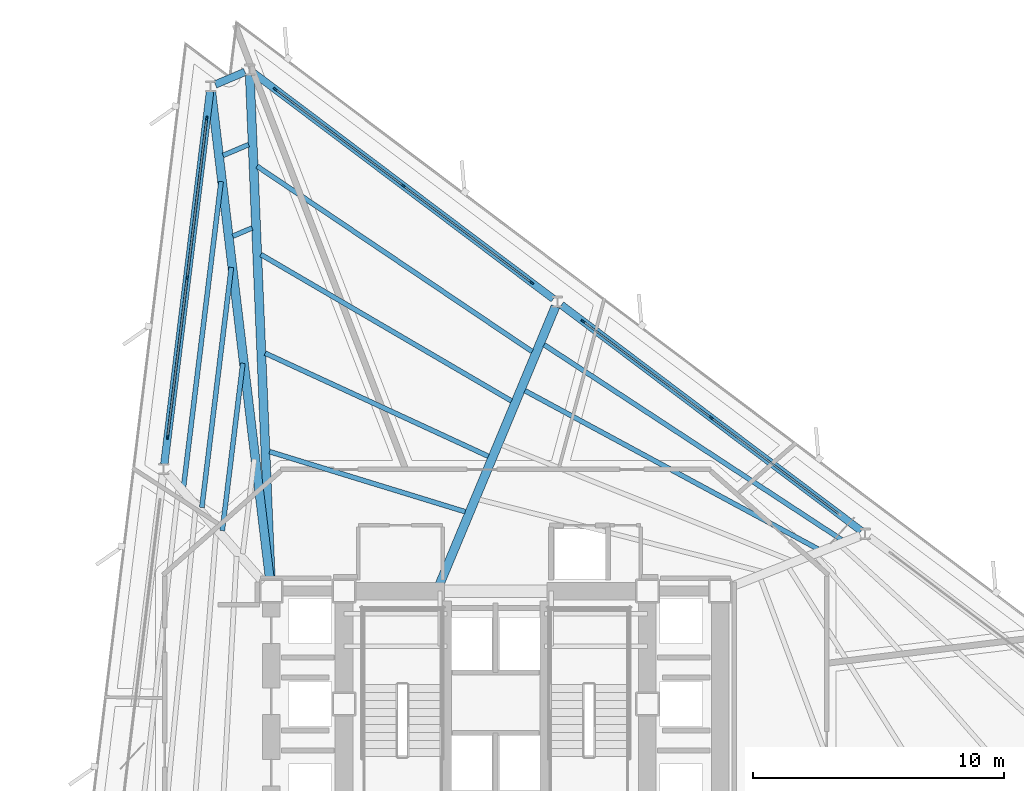
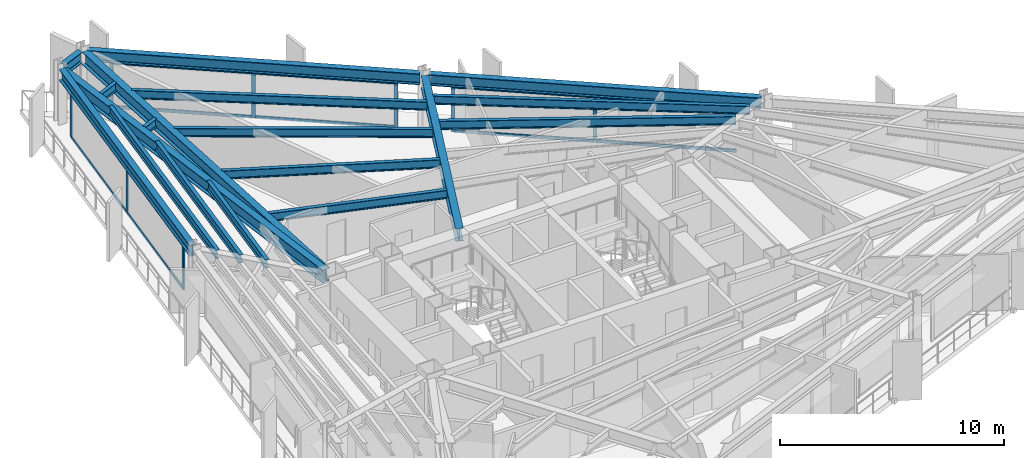
# One storey, part 5 of 13: 20 members, 18 beams, 3 elements without a shape of their own.
"""IFC4 building model written with IfcOpenShell, lengths in metres."""

import ifcopenshell
import ifcopenshell.guid

model = None  # the IFC model being written
_history = None  # IfcOwnerHistory: only IFC2X3 demands one
_inside = {}  # id of a spatial element -> (the spatial element, [elements in it])
_under = {}  # id of a project, library or spatial element -> (it, [spatial elements below it])
_declared = {}  # id of a project -> (the project, [libraries it declares])
_typed = {}  # id of a type object -> (the type object, [elements of that type])
_made_of = {}  # id of a material, layer set ... -> (it, [elements and type objects made of it])


def new_model(schema):
    """Start an empty IFC model of exactly this schema.

    Asked for "IFC4X3", IfcOpenShell would pick the latest addendum, in which some entities
    have other attributes; the version numbers below select the first issue.
    IFC2X3 requires an IfcOwnerHistory on every rooted entity: one is made here for all.
    """
    global model, _history
    if schema == "IFC4X3":
        model = ifcopenshell.file(schema_version=(4, 3, 0, 0))
    else:
        model = ifcopenshell.file(schema=schema)
    _inside.clear()
    _under.clear()
    _declared.clear()
    _typed.clear()
    _made_of.clear()
    _history = None
    if model.schema == "IFC2X3":
        org = make("IfcOrganization", Name="unknown")
        user = make(
            "IfcPersonAndOrganization",
            ThePerson=make("IfcPerson", FamilyName="unknown"),
            TheOrganization=org,
        )
        app = make(
            "IfcApplication",
            ApplicationDeveloper=org,
            Version="unknown",
            ApplicationFullName="unknown",
            ApplicationIdentifier="unknown",
        )
        _history = make(
            "IfcOwnerHistory",
            OwningUser=user,
            OwningApplication=app,
            ChangeAction="ADDED",
            CreationDate=0,
        )
    return model


def make(cls, **values):
    """One entity of the class cls with the attributes given. An attribute that is None is left unset."""
    return model.create_entity(
        cls, **{name: value for name, value in values.items() if value is not None}
    )


def rooted(cls, **values):
    """An entity with a GlobalId (a new one), such as an element, a storey or a relation."""
    return make(cls, GlobalId=ifcopenshell.guid.new(), OwnerHistory=_history, **values)


def si_unit(unit_type, name, prefix=None):
    """IfcSIUnit, for example si_unit("LENGTHUNIT", "METRE", prefix="MILLI")."""
    return make("IfcSIUnit", UnitType=unit_type, Prefix=prefix, Name=name)


def assignment(units):
    """IfcUnitAssignment: the units of a project."""
    return None if units is None else make("IfcUnitAssignment", Units=units)


def point(xyz):
    """IfcCartesianPoint."""
    return None if xyz is None else make("IfcCartesianPoint", Coordinates=xyz)


def direction(xyz):
    """IfcDirection."""
    return None if xyz is None else make("IfcDirection", DirectionRatios=xyz)


def frame(location, z_axis=None, x_axis=None):
    """IfcAxis2Placement3D, a coordinate frame: its origin and axes. An axis left out is left unset."""
    return make(
        "IfcAxis2Placement3D",
        Location=point(location),
        Axis=direction(z_axis),
        RefDirection=direction(x_axis),
    )


def frame_2d(location, x_axis=None):
    """IfcAxis2Placement2D, a coordinate frame in the plane: its origin and x axis."""
    return make(
        "IfcAxis2Placement2D", Location=point(location), RefDirection=direction(x_axis)
    )


def origin():
    """The frame at (0, 0, 0) with its axes left unset."""
    return frame((0.0, 0.0, 0.0))


def origin_2d():
    """The frame at (0, 0) in the plane with its x axis left unset."""
    return frame_2d((0.0, 0.0))


def place(relative_to, where):
    """IfcLocalPlacement: puts the frame where relative to a parent placement (None: the world)."""
    return make(
        "IfcLocalPlacement", PlacementRelTo=relative_to, RelativePlacement=where
    )


def context(
    kind, dimensions, precision=None, world=None, true_north=None, identifier=None
):
    """IfcGeometricRepresentationContext, for example the 3D "Model" context."""
    return make(
        "IfcGeometricRepresentationContext",
        ContextIdentifier=identifier,
        ContextType=kind,
        CoordinateSpaceDimension=dimensions,
        Precision=precision,
        WorldCoordinateSystem=world,
        TrueNorth=true_north,
    )


def subcontext(parent, identifier, kind, view, scale=None):
    """IfcGeometricRepresentationSubContext, for example "Body" below "Model"."""
    return make(
        "IfcGeometricRepresentationSubContext",
        ContextIdentifier=identifier,
        ContextType=kind,
        ParentContext=parent,
        TargetScale=scale,
        TargetView=view,
    )


def project(units=None, contexts=None):
    """IfcProject with its units and contexts."""
    return rooted(
        "IfcProject",
        Name="project",
        RepresentationContexts=contexts,
        UnitsInContext=assignment(units),
    )


def spatial(cls, under=None, at=None, **own):
    """A site, building, storey or space (cls), placed at a placement, below another one or the project."""
    s = rooted(cls, ObjectPlacement=at, **own)
    if under is not None:
        _under.setdefault(under.id(), (under, []))[1].append(s)
    return s


def profile(cls, at=None, kind="AREA", **sizes):
    """A parametric profile (cls). Its sizes go by their IFC names, for example OverallWidth=200.0."""
    return make(cls, ProfileType=kind, Position=at, **sizes)


def rectangle(**sizes):
    """IfcRectangleProfileDef."""
    return profile("IfcRectangleProfileDef", **sizes)


def i_section(**sizes):
    """IfcIShapeProfileDef."""
    return profile("IfcIShapeProfileDef", **sizes)


def extrude(swept, where, along, depth):
    """IfcExtrudedAreaSolid: the profile swept, set in the frame where, extruded along a direction by depth."""
    return make(
        "IfcExtrudedAreaSolid",
        SweptArea=swept,
        Position=where,
        ExtrudedDirection=direction(along),
        Depth=depth,
    )


def shape(context_of_items, identifier, shape_type, items):
    """IfcShapeRepresentation: the items that make up one representation, for example the "Body"."""
    return make(
        "IfcShapeRepresentation",
        ContextOfItems=context_of_items,
        RepresentationIdentifier=identifier,
        RepresentationType=shape_type,
        Items=items,
    )


def material(Name=None, Category=None):
    """IfcMaterial."""
    return make("IfcMaterial", Name=Name, Category=Category)


def layer(
    of_material, thickness, ventilated=None, Name=None, Category=None, Priority=None
):
    """IfcMaterialLayer: one layer of a wall or slab, of a material (None: an air gap)."""
    return make(
        "IfcMaterialLayer",
        Material=of_material,
        LayerThickness=thickness,
        IsVentilated=ventilated,
        Name=Name,
        Category=Category,
        Priority=Priority,
    )


def layer_set(layers, Name=None):
    """IfcMaterialLayerSet."""
    return make("IfcMaterialLayerSet", MaterialLayers=layers, LayerSetName=Name)


def material_profile(
    of_material, cross_section, Name=None, Category=None, Priority=None
):
    """IfcMaterialProfile: a cross section and its material."""
    return make(
        "IfcMaterialProfile",
        Name=Name,
        Material=of_material,
        Profile=cross_section,
        Priority=Priority,
        Category=Category,
    )


def profile_set(profiles, Name=None, composite=None):
    """IfcMaterialProfileSet."""
    return make(
        "IfcMaterialProfileSet",
        Name=Name,
        MaterialProfiles=profiles,
        CompositeProfile=composite,
    )


def made_of(thing, what):
    """Note that an element or type object is made of a material, layer set ...; save() writes the relation."""
    if what is not None:
        _made_of.setdefault(what.id(), (what, []))[1].append(thing)
    return thing


def type_object(cls, material=None, **own):
    """A type object (cls), such as IfcWallType, which elements share."""
    return made_of(rooted(cls, **own), material)


def element(
    cls,
    number,
    at=None,
    inside=None,
    cuts=None,
    type_object=None,
    material=None,
    context=None,
    identifier="Body",
    shape_type=None,
    held_by="IfcProductDefinitionShape",
    body=None,
    shapes=None,
    **own,
):
    """One element of the class cls, such as IfcWall. Its Tag is "e" and its number.

    at: its placement. inside: the storey or other place that contains it. cuts: it is an
    opening in that element (IfcRelVoidsElement). A single representation is given by context,
    identifier, shape_type and body (its items); several are given by shapes. held_by: the class
    of the entity that holds the representations. save() writes the other relations.
    """
    e = rooted(cls, Tag="e%d" % number, ObjectPlacement=at, **own)
    if body is not None:
        shapes = [shape(context, identifier, shape_type, body)]
    if shapes is not None:
        e.Representation = make(held_by, Representations=shapes)
    if inside is not None:
        _inside.setdefault(inside.id(), (inside, []))[1].append(e)
    if cuts is not None:
        rooted(
            "IfcRelVoidsElement", RelatingBuildingElement=cuts, RelatedOpeningElement=e
        )
    if type_object is not None:
        _typed.setdefault(type_object.id(), (type_object, []))[1].append(e)
    return made_of(e, material)


def aggregate(whole, parts):
    """IfcRelAggregates: a whole, such as a stair, and the parts it consists of."""
    return rooted("IfcRelAggregates", RelatingObject=whole, RelatedObjects=parts)


def save(model, path):
    """Write the relations noted so far, then the file.

    IfcRelAggregates (storeys below a building ...), IfcRelContainedInSpatialStructure (elements
    in a storey), IfcRelDefinesByType, IfcRelAssociatesMaterial and IfcRelDeclares: one each for
    every whole, place, type object, material and project.
    """
    for whole, parts in _under.values():
        aggregate(whole, parts)
    for where, things in _inside.values():
        rooted(
            "IfcRelContainedInSpatialStructure",
            RelatedElements=things,
            RelatingStructure=where,
        )
    for kind, things in _typed.values():
        rooted("IfcRelDefinesByType", RelatedObjects=things, RelatingType=kind)
    for what, things in _made_of.values():
        rooted("IfcRelAssociatesMaterial", RelatedObjects=things, RelatingMaterial=what)
    for by, libraries in _declared.values():
        rooted("IfcRelDeclares", RelatingContext=by, RelatedDefinitions=libraries)
    model.write(path)


model = new_model("IFC4")

# Units and contexts
model_context = context("Model", 3, precision=1e-05, world=origin(), true_north=direction((0.0, 1.0)))
body_context = subcontext(model_context, "Body", "Model", "MODEL_VIEW")
ifc_project = project(units=[si_unit("LENGTHUNIT", "METRE"), si_unit("AREAUNIT", "SQUARE_METRE"), si_unit("VOLUMEUNIT", "CUBIC_METRE"), si_unit("PLANEANGLEUNIT", "RADIAN"), si_unit("MASSUNIT", "GRAM", prefix="KILO")], contexts=[model_context])

# Site, building, storey
site_placement = place(None, origin())
site = spatial("IfcSite", under=ifc_project, at=site_placement, CompositionType="ELEMENT")
building_placement = place(site_placement, origin())
building = spatial("IfcBuilding", under=site, at=building_placement, Name="Rocaltana Carrier Exchange", CompositionType="ELEMENT")
storey_placement = place(building_placement, frame((0.0, 0.0, 66.39990234375)))
storey = spatial("IfcBuildingStorey", under=building, at=storey_placement, Name="L20", CompositionType="ELEMENT", Elevation=66.39990234375)

# Curtain wall, members
ifc_material_1 = material(Name="Aluminium 6063-T6", Category="aluminium")
ifc_layer = layer(ifc_material_1, 0.1650390625)
ifc_layer_set = layer_set([ifc_layer], Name="Aluminium 6063-T6")
curtain_wall_type = type_object("IfcCurtainWallType", Name="Lower-Mid Stepped Curtain Wall CW-02", PredefinedType="NOTDEFINED", material=ifc_layer_set)
curtain_wall_1_placement = place(storey_placement, origin())
curtain_wall_1 = element("IfcCurtainWall", 1, at=curtain_wall_1_placement, inside=storey, type_object=curtain_wall_type, Name="L20 CW-02 Run CW-L20-F1S2", PredefinedType="NOTDEFINED")
ifc_material_2 = material(Name="Aluminium 6063-T6", Category="aluminium")
ifc_material_profile_1 = material_profile(ifc_material_2, rectangle(XDim=0.06494140625, YDim=0.1650390625, at=origin_2d()), Name="AL-65X165")
ifc_profile_set_1 = profile_set([ifc_material_profile_1], Name="Aluminium 6063-T6")
member_type_1 = type_object("IfcMemberType", Name="CW-02 Mullion AL-65X165", PredefinedType="MULLION", material=ifc_profile_set_1)
member_1_placement = place(storey_placement, frame((8.59423828125, 11.405029296875, 0.0), z_axis=(0.0, 0.0, 1.0), x_axis=(-0.601815253533, -0.798635336443, 0.0)))
member_1 = element("IfcMember", 2, at=member_1_placement, type_object=member_type_1, Name="CW-02 mullion 2", PredefinedType="MULLION", context=body_context, shape_type="SweptSolid", body=[
    extrude(rectangle(XDim=0.06494140625, YDim=0.1650390625, at=origin_2d()), origin(), (0.0, 0.0, 1.0), 2.47802734375),
])
member_2_placement = place(storey_placement, frame((3.482421875, 15.257080078125, 0.0), z_axis=(0.0, 0.0, 1.0), x_axis=(-0.601815253533, -0.798635336443, 0.0)))
member_2 = element("IfcMember", 3, at=member_2_placement, type_object=member_type_1, Name="CW-02 mullion 3", PredefinedType="MULLION", context=body_context, shape_type="SweptSolid", body=[
    extrude(rectangle(XDim=0.06494140625, YDim=0.1650390625, at=origin_2d()), origin(), (0.0, 0.0, 1.0), 2.47802734375),
])

curtain_wall_2_placement = place(storey_placement, origin())
curtain_wall_2 = element("IfcCurtainWall", 4, at=curtain_wall_2_placement, inside=storey, type_object=curtain_wall_type, Name="L20 CW-02 Run CW-L20-F1S3", PredefinedType="NOTDEFINED")
member_3_placement = place(storey_placement, frame((1.433837890625, 16.80078125, 0.0), z_axis=(0.0, 0.0, 1.0), x_axis=(-0.601811518049, -0.79863815132, 0.0)))
member_3 = element("IfcMember", 5, at=member_3_placement, type_object=member_type_1, Name="CW-02 mullion 1", PredefinedType="MULLION", context=body_context, shape_type="SweptSolid", body=[
    extrude(rectangle(XDim=0.06494140625, YDim=0.1650390625, at=origin_2d()), origin(), (0.0, 0.0, 1.0), 2.47802734375),
])
member_4_placement = place(storey_placement, frame((-3.677978515625, 20.65283203125, 0.0), z_axis=(0.0, 0.0, 1.0), x_axis=(-0.601811518049, -0.79863815132, 0.0)))
member_4 = element("IfcMember", 6, at=member_4_placement, type_object=member_type_1, Name="CW-02 mullion 2", PredefinedType="MULLION", context=body_context, shape_type="SweptSolid", body=[
    extrude(rectangle(XDim=0.06494140625, YDim=0.1650390625, at=origin_2d()), origin(), (0.0, 0.0, 1.0), 2.47802734375),
])
member_5_placement = place(storey_placement, frame((-8.7900390625, 24.505126953125, 0.0), z_axis=(0.0, 0.0, 1.0), x_axis=(-0.601811518049, -0.79863815132, 0.0)))
member_5 = element("IfcMember", 7, at=member_5_placement, type_object=member_type_1, Name="CW-02 mullion 3", PredefinedType="MULLION", context=body_context, shape_type="SweptSolid", body=[
    extrude(rectangle(XDim=0.06494140625, YDim=0.1650390625, at=origin_2d()), origin(), (0.0, 0.0, 1.0), 2.47802734375),
])

curtain_wall_3_placement = place(storey_placement, origin())
curtain_wall_3 = element("IfcCurtainWall", 8, at=curtain_wall_3_placement, inside=storey, type_object=curtain_wall_type, Name="L20 CW-02 Run CW-L20-F2S1", PredefinedType="NOTDEFINED")
member_6_placement = place(storey_placement, frame((-11.521484375, 23.345703125, 0.0), z_axis=(0.0, 0.0, 1.0), x_axis=(0.992545748051, -0.121872630343, 0.0)))
member_6 = element("IfcMember", 9, at=member_6_placement, type_object=member_type_1, Name="CW-02 mullion 1", PredefinedType="MULLION", context=body_context, shape_type="SweptSolid", body=[
    extrude(rectangle(XDim=0.06494140625, YDim=0.1650390625, at=origin_2d()), origin(), (0.0, 0.0, 1.0), 2.47802734375),
])
member_7_placement = place(storey_placement, frame((-12.301513671875, 16.992431640625, 0.0), z_axis=(0.0, 0.0, 1.0), x_axis=(0.992545748051, -0.121872630343, 0.0)))
member_7 = element("IfcMember", 10, at=member_7_placement, type_object=member_type_1, Name="CW-02 mullion 2", PredefinedType="MULLION", context=body_context, shape_type="SweptSolid", body=[
    extrude(rectangle(XDim=0.06494140625, YDim=0.1650390625, at=origin_2d()), origin(), (0.0, 0.0, 1.0), 2.47802734375),
])
member_8_placement = place(storey_placement, frame((-13.08154296875, 10.639404296875, 0.0), z_axis=(0.0, 0.0, 1.0), x_axis=(0.992545748051, -0.121872630343, 0.0)))
member_8 = element("IfcMember", 11, at=member_8_placement, type_object=member_type_1, Name="CW-02 mullion 3", PredefinedType="MULLION", context=body_context, shape_type="SweptSolid", body=[
    extrude(rectangle(XDim=0.06494140625, YDim=0.1650390625, at=origin_2d()), origin(), (0.0, 0.0, 1.0), 2.47802734375),
])

# Member
ifc_material_3 = material(Name="Aluminium 6063-T6", Category="aluminium")
ifc_material_profile_2 = material_profile(ifc_material_3, rectangle(XDim=0.06494140625, YDim=0.1650390625, at=origin_2d()), Name="AL-65X165")
ifc_profile_set_2 = profile_set([ifc_material_profile_2], Name="Aluminium 6063-T6")
member_type_2 = type_object("IfcMemberType", Name="CW-02 Transom AL-65X165", PredefinedType="USERDEFINED", material=ifc_profile_set_2)
member_9_placement = place(storey_placement, frame((13.68017578125, 7.572509765625, 0.03271484375), z_axis=(-0.798624539829, 0.601829580847, 0.0), x_axis=(-0.601829580847, -0.798624539829, 0.0)))
member_9 = element("IfcMember", 12, at=member_9_placement, type_object=member_type_2, Name="CW-02 transom 1.1", ObjectType="TRANSOM", PredefinedType="USERDEFINED", context=body_context, shape_type="SweptSolid", body=[
    extrude(rectangle(XDim=0.06494140625, YDim=0.1650390625, at=origin_2d()), origin(), (0.0, 0.0, 1.0), 6.335693359375),
])

member_10_placement = place(storey_placement, frame((13.68017578125, 7.572509765625, 2.445556640625), z_axis=(-0.798624539829, 0.601829580847, 0.0), x_axis=(-0.601829580847, -0.798624539829, 0.0)))
member_10 = element("IfcMember", 13, at=member_10_placement, type_object=member_type_2, Name="CW-02 transom 1.2", ObjectType="TRANSOM", PredefinedType="USERDEFINED", context=body_context, shape_type="SweptSolid", body=[
    extrude(rectangle(XDim=0.06494140625, YDim=0.1650390625, at=origin_2d()), origin(), (0.0, 0.0, 1.0), 6.335693359375),
])

member_11_placement = place(storey_placement, frame((8.568359375, 11.424560546875, 0.03271484375), z_axis=(-0.798638496284, 0.601811060261, 0.0), x_axis=(-0.601811060261, -0.798638496284, 0.0)))
member_11 = element("IfcMember", 14, at=member_11_placement, type_object=member_type_2, Name="CW-02 transom 2.1", ObjectType="TRANSOM", PredefinedType="USERDEFINED", context=body_context, shape_type="SweptSolid", body=[
    extrude(rectangle(XDim=0.06494140625, YDim=0.1650390625, at=origin_2d()), origin(), (0.0, 0.0, 1.0), 6.3359375),
])

member_12_placement = place(storey_placement, frame((8.568359375, 11.424560546875, 2.445556640625), z_axis=(-0.798638496284, 0.601811060261, 0.0), x_axis=(-0.601811060261, -0.798638496284, 0.0)))
member_12 = element("IfcMember", 15, at=member_12_placement, type_object=member_type_2, Name="CW-02 transom 2.2", ObjectType="TRANSOM", PredefinedType="USERDEFINED", context=body_context, shape_type="SweptSolid", body=[
    extrude(rectangle(XDim=0.06494140625, YDim=0.1650390625, at=origin_2d()), origin(), (0.0, 0.0, 1.0), 6.3359375),
])

aggregate(curtain_wall_1, [member_1, member_2, member_9, member_10, member_11, member_12])

member_13_placement = place(storey_placement, frame((1.407958984375, 16.8203125, 0.03271484375), z_axis=(-0.798638496284, 0.601811060261, 0.0), x_axis=(-0.601811060261, -0.798638496284, 0.0)))
member_13 = element("IfcMember", 16, at=member_13_placement, type_object=member_type_2, Name="CW-02 transom 1.1", ObjectType="TRANSOM", PredefinedType="USERDEFINED", context=body_context, shape_type="SweptSolid", body=[
    extrude(rectangle(XDim=0.06494140625, YDim=0.1650390625, at=origin_2d()), origin(), (0.0, 0.0, 1.0), 6.3359375),
])

member_14_placement = place(storey_placement, frame((1.407958984375, 16.8203125, 2.445556640625), z_axis=(-0.798638496284, 0.601811060261, 0.0), x_axis=(-0.601811060261, -0.798638496284, 0.0)))
member_14 = element("IfcMember", 17, at=member_14_placement, type_object=member_type_2, Name="CW-02 transom 1.2", ObjectType="TRANSOM", PredefinedType="USERDEFINED", context=body_context, shape_type="SweptSolid", body=[
    extrude(rectangle(XDim=0.06494140625, YDim=0.1650390625, at=origin_2d()), origin(), (0.0, 0.0, 1.0), 6.3359375),
])

member_15_placement = place(storey_placement, frame((-3.703857421875, 20.672607421875, 0.03271484375), z_axis=(-0.798638496284, 0.601811060261, 0.0), x_axis=(-0.601811060261, -0.798638496284, 0.0)))
member_15 = element("IfcMember", 18, at=member_15_placement, type_object=member_type_2, Name="CW-02 transom 2.1", ObjectType="TRANSOM", PredefinedType="USERDEFINED", context=body_context, shape_type="SweptSolid", body=[
    extrude(rectangle(XDim=0.06494140625, YDim=0.1650390625, at=origin_2d()), origin(), (0.0, 0.0, 1.0), 6.3359375),
])

member_16_placement = place(storey_placement, frame((-3.703857421875, 20.672607421875, 2.445556640625), z_axis=(-0.798638496284, 0.601811060261, 0.0), x_axis=(-0.601811060261, -0.798638496284, 0.0)))
member_16 = element("IfcMember", 19, at=member_16_placement, type_object=member_type_2, Name="CW-02 transom 2.2", ObjectType="TRANSOM", PredefinedType="USERDEFINED", context=body_context, shape_type="SweptSolid", body=[
    extrude(rectangle(XDim=0.06494140625, YDim=0.1650390625, at=origin_2d()), origin(), (0.0, 0.0, 1.0), 6.3359375),
])

aggregate(curtain_wall_2, [member_3, member_4, member_5, member_13, member_14, member_15, member_16])

member_17_placement = place(storey_placement, frame((-11.525390625, 23.3134765625, 0.03271484375), z_axis=(-0.12187665048, -0.992545254418, 0.0), x_axis=(0.992545254418, -0.12187665048, 0.0)))
member_17 = element("IfcMember", 20, at=member_17_placement, type_object=member_type_2, Name="CW-02 transom 1.1", ObjectType="TRANSOM", PredefinedType="USERDEFINED", context=body_context, shape_type="SweptSolid", body=[
    extrude(rectangle(XDim=0.06494140625, YDim=0.1650390625, at=origin_2d()), origin(), (0.0, 0.0, 1.0), 6.3359375),
])

member_18_placement = place(storey_placement, frame((-11.525390625, 23.3134765625, 2.445556640625), z_axis=(-0.12187665048, -0.992545254418, 0.0), x_axis=(0.992545254418, -0.12187665048, 0.0)))
member_18 = element("IfcMember", 21, at=member_18_placement, type_object=member_type_2, Name="CW-02 transom 1.2", ObjectType="TRANSOM", PredefinedType="USERDEFINED", context=body_context, shape_type="SweptSolid", body=[
    extrude(rectangle(XDim=0.06494140625, YDim=0.1650390625, at=origin_2d()), origin(), (0.0, 0.0, 1.0), 6.3359375),
])

member_19_placement = place(storey_placement, frame((-12.305419921875, 16.960205078125, 0.03271484375), z_axis=(-0.121881311797, -0.992544682034, 0.0), x_axis=(0.992544682034, -0.121881311797, 0.0)))
member_19 = element("IfcMember", 22, at=member_19_placement, type_object=member_type_2, Name="CW-02 transom 2.1", ObjectType="TRANSOM", PredefinedType="USERDEFINED", context=body_context, shape_type="SweptSolid", body=[
    extrude(rectangle(XDim=0.06494140625, YDim=0.1650390625, at=origin_2d()), origin(), (0.0, 0.0, 1.0), 6.335693359375),
])

member_20_placement = place(storey_placement, frame((-12.305419921875, 16.960205078125, 2.445556640625), z_axis=(-0.121881311797, -0.992544682034, 0.0), x_axis=(0.992544682034, -0.121881311797, 0.0)))
member_20 = element("IfcMember", 23, at=member_20_placement, type_object=member_type_2, Name="CW-02 transom 2.2", ObjectType="TRANSOM", PredefinedType="USERDEFINED", context=body_context, shape_type="SweptSolid", body=[
    extrude(rectangle(XDim=0.06494140625, YDim=0.1650390625, at=origin_2d()), origin(), (0.0, 0.0, 1.0), 6.335693359375),
])

aggregate(curtain_wall_3, [member_6, member_7, member_8, member_17, member_18, member_19, member_20])

# Beams
ifc_material_4 = material(Name="Steel S355", Category="steel")
ifc_material_profile_3 = material_profile(ifc_material_4, i_section(OverallWidth=0.193115234375, OverallDepth=0.466064453125, WebThickness=0.011474609375, FlangeThickness=0.01904296875, FilletRadius=0.013916015625, at=origin_2d()), Name="W18X65")
ifc_profile_set_3 = profile_set([ifc_material_profile_3], Name="Steel S355")
beam_type_1 = type_object("IfcBeamType", Name="Floor Joist W18X65", PredefinedType="JOIST", material=ifc_profile_set_3)
beam_1_placement = place(storey_placement, frame((12.845458984375, 6.17822265625, 2.864990234375), z_axis=(-0.879782188298, 0.475377009493, 0.0), x_axis=(-0.475377009493, -0.879782188298, 0.0)))
element("IfcBeam", 24, at=beam_1_placement, inside=storey, type_object=beam_type_1, Name="FJ-L20-02-3", PredefinedType="JOIST", context=body_context, shape_type="SweptSolid", body=[
    extrude(i_section(OverallWidth=0.193115234375, OverallDepth=0.466064453125, WebThickness=0.011474609375, FlangeThickness=0.01904296875, FilletRadius=0.013916015625, at=origin_2d()), origin(), (0.0, 0.0, 1.0), 13.27490234375),
])
beam_2_placement = place(storey_placement, frame((13.77783203125, 6.5556640625, 2.864990234375), z_axis=(-0.836404193047, 0.548113150593, 0.0), x_axis=(-0.548113150593, -0.836404193047, 0.0)))
element("IfcBeam", 25, at=beam_2_placement, inside=storey, type_object=beam_type_1, Name="FJ-L20-02-4", PredefinedType="JOIST", context=body_context, shape_type="SweptSolid", body=[
    extrude(i_section(OverallWidth=0.193115234375, OverallDepth=0.466064453125, WebThickness=0.011474609375, FlangeThickness=0.01904296875, FilletRadius=0.013916015625, at=origin_2d()), origin(), (0.0, 0.0, 1.0), 14.1669921875),
])
beam_3_placement = place(storey_placement, frame((-1.2158203125, 7.6630859375, 2.864990234375), z_axis=(-0.955945046832, 0.293545682028, 0.0), x_axis=(-0.293545682028, -0.955945046832, 0.0)))
element("IfcBeam", 26, at=beam_3_placement, inside=storey, type_object=beam_type_1, Name="FJ-L20-03-1", PredefinedType="JOIST", context=body_context, shape_type="SweptSolid", body=[
    extrude(i_section(OverallWidth=0.193115234375, OverallDepth=0.466064453125, WebThickness=0.011474609375, FlangeThickness=0.01904296875, FilletRadius=0.013916015625, at=origin_2d()), origin(), (0.0, 0.0, 1.0), 8.1630859375),
])
beam_4_placement = place(storey_placement, frame((-0.2939453125, 9.875244140625, 2.864990234375), z_axis=(-0.907819359588, 0.419361431653, 0.0), x_axis=(-0.419361431653, -0.907819359588, 0.0)))
element("IfcBeam", 27, at=beam_4_placement, inside=storey, type_object=beam_type_1, Name="FJ-L20-03-2", PredefinedType="JOIST", context=body_context, shape_type="SweptSolid", body=[
    extrude(i_section(OverallWidth=0.193115234375, OverallDepth=0.466064453125, WebThickness=0.011474609375, FlangeThickness=0.01904296875, FilletRadius=0.013916015625, at=origin_2d()), origin(), (0.0, 0.0, 1.0), 9.801513671875),
])
beam_5_placement = place(storey_placement, frame((0.627197265625, 12.080322265625, 2.864990234375), z_axis=(-0.863399873856, 0.504520225387, 0.0), x_axis=(-0.504520225387, -0.863399873856, 0.0)))
element("IfcBeam", 28, at=beam_5_placement, inside=storey, type_object=beam_type_1, Name="FJ-L20-03-3", PredefinedType="JOIST", context=body_context, shape_type="SweptSolid", body=[
    extrude(i_section(OverallWidth=0.193115234375, OverallDepth=0.466064453125, WebThickness=0.011474609375, FlangeThickness=0.01904296875, FilletRadius=0.013916015625, at=origin_2d()), origin(), (0.0, 0.0, 1.0), 11.57177734375),
])
beam_6_placement = place(storey_placement, frame((1.450439453125, 14.049560546875, 2.864990234375), z_axis=(-0.829233693301, 0.558902032466, 0.0), x_axis=(-0.558902032466, -0.829233693301, 0.0)))
element("IfcBeam", 29, at=beam_6_placement, inside=storey, type_object=beam_type_1, Name="FJ-L20-03-4", PredefinedType="JOIST", context=body_context, shape_type="SweptSolid", body=[
    extrude(i_section(OverallWidth=0.193115234375, OverallDepth=0.466064453125, WebThickness=0.011474609375, FlangeThickness=0.01904296875, FilletRadius=0.013916015625, at=origin_2d()), origin(), (0.0, 0.0, 1.0), 13.22509765625),
])
beam_7_placement = place(storey_placement, frame((-9.712890625, 18.976806640625, 2.864990234375), z_axis=(-0.92048318346, -0.390782175857, 0.0), x_axis=(0.390782175857, -0.92048318346, 0.0)))
element("IfcBeam", 30, at=beam_7_placement, inside=storey, type_object=beam_type_1, Name="FJ-L20-04-3", PredefinedType="JOIST", context=body_context, shape_type="SweptSolid", body=[
    extrude(i_section(OverallWidth=0.193115234375, OverallDepth=0.466064453125, WebThickness=0.011474609375, FlangeThickness=0.01904296875, FilletRadius=0.013916015625, at=origin_2d()), origin(), (0.0, 0.0, 1.0), 0.83642578125),
])
beam_8_placement = place(storey_placement, frame((-9.85107421875, 22.301025390625, 2.864990234375), z_axis=(-0.920509615817, -0.390719908872, 0.0), x_axis=(0.390719908872, -0.920509615817, 0.0)))
element("IfcBeam", 31, at=beam_8_placement, inside=storey, type_object=beam_type_1, Name="FJ-L20-04-4", PredefinedType="JOIST", context=body_context, shape_type="SweptSolid", body=[
    extrude(i_section(OverallWidth=0.193115234375, OverallDepth=0.466064453125, WebThickness=0.011474609375, FlangeThickness=0.01904296875, FilletRadius=0.013916015625, at=origin_2d()), origin(), (0.0, 0.0, 1.0), 1.10595703125),
])
beam_9_placement = place(storey_placement, frame((-10.081787109375, 13.584228515625, 2.864990234375), z_axis=(-0.121894438401, -0.992543070041, 0.0), x_axis=(0.992543070041, -0.121894438401, 0.0)))
element("IfcBeam", 32, at=beam_9_placement, inside=storey, type_object=beam_type_1, Name="FJ-L20-05-2", PredefinedType="JOIST", context=body_context, shape_type="SweptSolid", body=[
    extrude(i_section(OverallWidth=0.193115234375, OverallDepth=0.466064453125, WebThickness=0.011474609375, FlangeThickness=0.01904296875, FilletRadius=0.013916015625, at=origin_2d()), origin(), (0.0, 0.0, 1.0), 6.7255859375),
])
beam_10_placement = place(storey_placement, frame((-10.540771484375, 17.406982421875, 2.864990234375), z_axis=(-0.121875552726, -0.992545389213, 0.0), x_axis=(0.992545389213, -0.121875552726, 0.0)))
element("IfcBeam", 33, at=beam_10_placement, inside=storey, type_object=beam_type_1, Name="FJ-L20-05-3", PredefinedType="JOIST", context=body_context, shape_type="SweptSolid", body=[
    extrude(i_section(OverallWidth=0.193115234375, OverallDepth=0.466064453125, WebThickness=0.011474609375, FlangeThickness=0.01904296875, FilletRadius=0.013916015625, at=origin_2d()), origin(), (0.0, 0.0, 1.0), 9.6455078125),
])
beam_11_placement = place(storey_placement, frame((-10.951416015625, 20.826904296875, 2.864990234375), z_axis=(-0.121874778131, -0.992545484326, 0.0), x_axis=(0.992545484326, -0.121874778131, 0.0)))
element("IfcBeam", 34, at=beam_11_placement, inside=storey, type_object=beam_type_1, Name="FJ-L20-05-4", PredefinedType="JOIST", context=body_context, shape_type="SweptSolid", body=[
    extrude(i_section(OverallWidth=0.193115234375, OverallDepth=0.466064453125, WebThickness=0.011474609375, FlangeThickness=0.01904296875, FilletRadius=0.013916015625, at=origin_2d()), origin(), (0.0, 0.0, 1.0), 12.257568359375),
])
ifc_material_5 = material(Name="Steel S355", Category="steel")
ifc_material_profile_4 = material_profile(ifc_material_5, i_section(OverallWidth=0.35498046875, OverallDepth=0.695068359375, WebThickness=0.015380859375, FlangeThickness=0.02490234375, FilletRadius=0.01806640625, at=origin_2d()), Name="W27X146")
ifc_profile_set_4 = profile_set([ifc_material_profile_4], Name="Steel S355")
beam_type_2 = type_object("IfcBeamType", Name="Radial Girder W27X146", PredefinedType="BEAM", material=ifc_profile_set_4)
beam_12_placement = place(storey_placement, frame((-2.2568359375, 4.723388671875, 2.75048828125), z_axis=(0.384920391232, 0.922949777839, 0.0), x_axis=(-0.922949777839, 0.384920391232, 0.0)))
element("IfcBeam", 35, at=beam_12_placement, inside=storey, type_object=beam_type_2, Name="RG-L20-03", PredefinedType="BEAM", context=body_context, shape_type="SweptSolid", body=[
    extrude(i_section(OverallWidth=0.35498046875, OverallDepth=0.695068359375, WebThickness=0.015380859375, FlangeThickness=0.02490234375, FilletRadius=0.01806640625, at=origin_2d()), origin(), (0.0, 0.0, 1.0), 12.04833984375),
])
beam_13_placement = place(storey_placement, frame((-8.969482421875, 4.966552734375, 2.75048828125), z_axis=(-0.041557386184, 0.999136118681, 0.0), x_axis=(-0.999136118681, -0.041557386184, 0.0)))
element("IfcBeam", 36, at=beam_13_placement, inside=storey, type_object=beam_type_2, Name="RG-L20-04", PredefinedType="BEAM", context=body_context, shape_type="SweptSolid", body=[
    extrude(i_section(OverallWidth=0.35498046875, OverallDepth=0.695068359375, WebThickness=0.015380859375, FlangeThickness=0.02490234375, FilletRadius=0.01806640625, at=origin_2d()), origin(), (0.0, 0.0, 1.0), 20.126953125),
])
beam_14_placement = place(storey_placement, frame((-9.005615234375, 4.963623046875, 2.75048828125), z_axis=(-0.119198280629, 0.992870469847, 0.0), x_axis=(-0.992870469847, -0.119198280629, 0.0)))
element("IfcBeam", 37, at=beam_14_placement, inside=storey, type_object=beam_type_2, Name="RG-L20-05", PredefinedType="BEAM", context=body_context, shape_type="SweptSolid", body=[
    extrude(i_section(OverallWidth=0.35498046875, OverallDepth=0.695068359375, WebThickness=0.015380859375, FlangeThickness=0.02490234375, FilletRadius=0.01806640625, at=origin_2d()), origin(), (0.0, 0.0, 1.0), 19.594970703125),
])
ifc_material_6 = material(Name="Steel S355", Category="steel")
ifc_material_profile_5 = material_profile(ifc_material_6, i_section(OverallWidth=0.300048828125, OverallDepth=0.60009765625, WebThickness=0.015380859375, FlangeThickness=0.030029296875, FilletRadius=0.027099609375, at=origin_2d()), Name="HEB600")
ifc_profile_set_5 = profile_set([ifc_material_profile_5], Name="Steel S355")
beam_type_3 = type_object("IfcBeamType", Name="Spandrel Edge Beam HEB600", PredefinedType="SPANDREL", material=ifc_profile_set_5)
beam_15_placement = place(storey_placement, frame((14.570068359375, 6.902099609375, 2.798095703125), z_axis=(-0.7986412452, 0.601807412272, 0.0), x_axis=(-0.601807412272, -0.7986412452, 0.0)))
element("IfcBeam", 38, at=beam_15_placement, inside=storey, type_object=beam_type_3, Name="SP-L20-02", PredefinedType="SPANDREL", context=body_context, shape_type="SweptSolid", body=[
    extrude(i_section(OverallWidth=0.300048828125, OverallDepth=0.60009765625, WebThickness=0.015380859375, FlangeThickness=0.030029296875, FilletRadius=0.027099609375, at=origin_2d()), origin(), (0.0, 0.0, 1.0), 14.964599609375),
])
beam_16_placement = place(storey_placement, frame((2.297607421875, 16.14990234375, 2.798095703125), z_axis=(-0.798633404024, 0.601817817929, 0.0), x_axis=(-0.601817817929, -0.798633404024, 0.0)))
element("IfcBeam", 39, at=beam_16_placement, inside=storey, type_object=beam_type_3, Name="SP-L20-03", PredefinedType="SPANDREL", context=body_context, shape_type="SweptSolid", body=[
    extrude(i_section(OverallWidth=0.300048828125, OverallDepth=0.60009765625, WebThickness=0.015380859375, FlangeThickness=0.030029296875, FilletRadius=0.027099609375, at=origin_2d()), origin(), (0.0, 0.0, 1.0), 14.96484375),
])
beam_17_placement = place(storey_placement, frame((-9.999267578125, 25.198486328125, 2.798095703125), z_axis=(-0.920449041694, -0.390862586653, 0.0), x_axis=(0.390862586653, -0.920449041694, 0.0)))
element("IfcBeam", 40, at=beam_17_placement, inside=storey, type_object=beam_type_3, Name="SP-L20-04", PredefinedType="SPANDREL", context=body_context, shape_type="SweptSolid", body=[
    extrude(i_section(OverallWidth=0.300048828125, OverallDepth=0.60009765625, WebThickness=0.015380859375, FlangeThickness=0.030029296875, FilletRadius=0.027099609375, at=origin_2d()), origin(), (0.0, 0.0, 1.0), 1.282958984375),
])
beam_18_placement = place(storey_placement, frame((-11.3896484375, 24.419189453125, 2.798095703125), z_axis=(-0.121867898519, -0.99254632905, 0.0), x_axis=(0.99254632905, -0.121867898519, 0.0)))
element("IfcBeam", 41, at=beam_18_placement, inside=storey, type_object=beam_type_3, Name="SP-L20-05", PredefinedType="SPANDREL", context=body_context, shape_type="SweptSolid", body=[
    extrude(i_section(OverallWidth=0.300048828125, OverallDepth=0.60009765625, WebThickness=0.015380859375, FlangeThickness=0.030029296875, FilletRadius=0.027099609375, at=origin_2d()), origin(), (0.0, 0.0, 1.0), 14.96484375),
])

save(model, "model.ifc")
